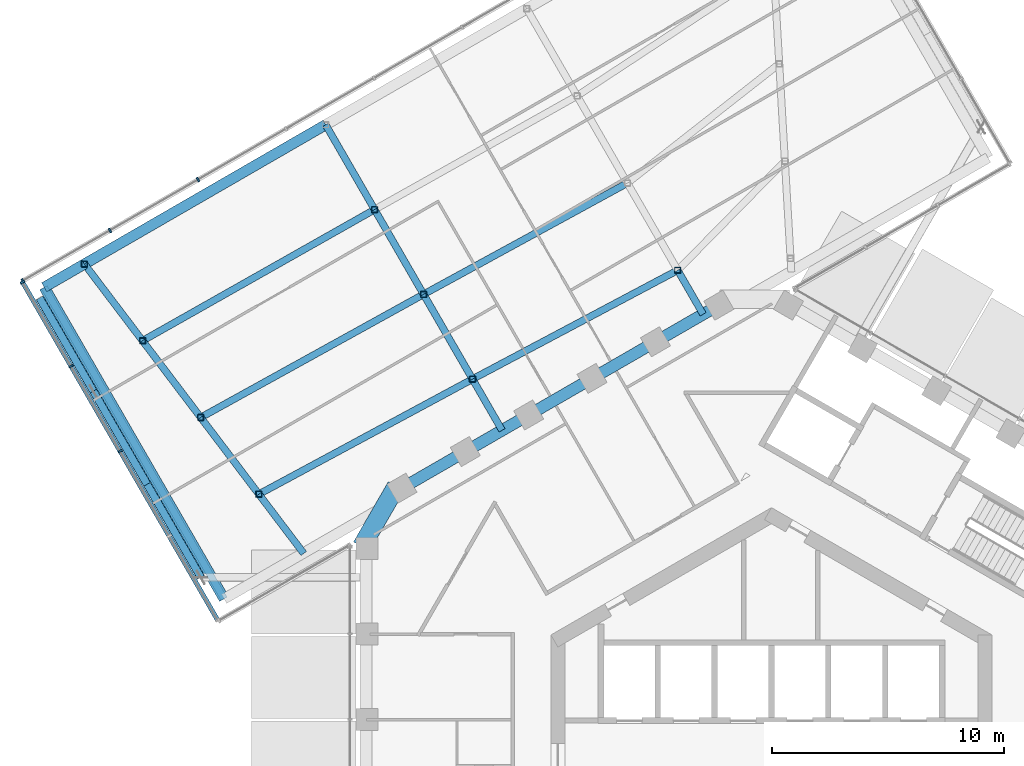
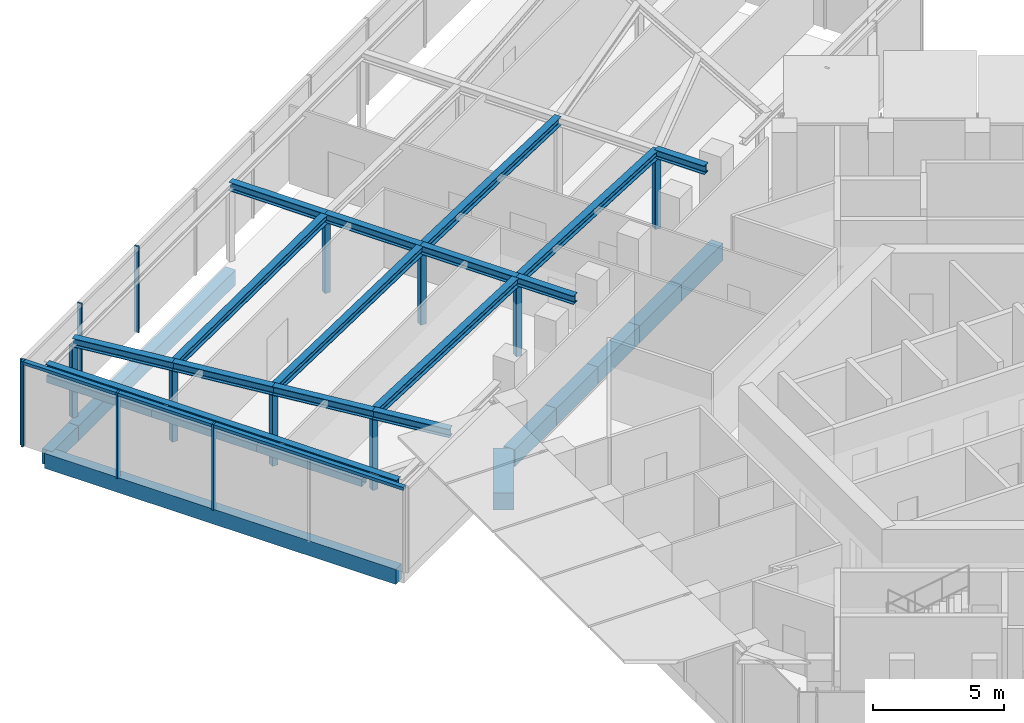
# One storey, part 5 of 27: 24 beams, 18 members, 2 elements without a shape of their own.
"""IFC4 building model written with IfcOpenShell, lengths in metres."""

from ifc_helpers import new_model, si_unit, direction, frame, origin, origin_2d, place, context, subcontext, project, spatial, rectangle, hollow_rectangle, i_section, extrude, material, layer, layer_set, material_profile, profile_set, type_object, element, aggregate, save


model = new_model("IFC4")

# Units and contexts
model_context = context("Model", 3, precision=1e-05, world=origin(), true_north=direction((0.0, 1.0)))
body_context = subcontext(model_context, "Body", "Model", "MODEL_VIEW")
ifc_project = project(units=[si_unit("LENGTHUNIT", "METRE"), si_unit("AREAUNIT", "SQUARE_METRE"), si_unit("VOLUMEUNIT", "CUBIC_METRE"), si_unit("PLANEANGLEUNIT", "RADIAN"), si_unit("MASSUNIT", "GRAM", prefix="KILO")], contexts=[model_context])

# Site, building, storey
site_placement = place(None, origin())
site = spatial("IfcSite", under=ifc_project, at=site_placement, CompositionType="ELEMENT")
building_placement = place(site_placement, origin())
building = spatial("IfcBuilding", under=site, at=building_placement, Name="Ayvan Gate Tower", CompositionType="ELEMENT")
storey_placement = place(building_placement, frame((0.0, 0.0, 194.699951171875)))
storey = spatial("IfcBuildingStorey", under=building, at=storey_placement, Name="L52", CompositionType="ELEMENT", Elevation=194.699951171875)

# Beams
ifc_material_1 = material(Name="Concrete C40/50", Category="concrete")
ifc_material_profile_1 = material_profile(ifc_material_1, rectangle(XDim=0.800048828125, YDim=0.800048828125, at=origin_2d()), Name="RC 800x800")
ifc_profile_set_1 = profile_set([ifc_material_profile_1], Name="Concrete C40/50")
beam_type_1 = type_object("IfcBeamType", Name="Corner spandrel beam RC 800x800 C40/50", PredefinedType="BEAM", material=ifc_profile_set_1)
beam_1_placement = place(storey_placement, frame((-16.157958984375, 11.89111328125, -0.800048828125), z_axis=(-0.50002537861, -0.866010750942, 0.0), x_axis=(0.866010750942, -0.50002537861, 0.0)))
element("IfcBeam", 1, at=beam_1_placement, inside=storey, type_object=beam_type_1, Name="SB-L52-18", PredefinedType="BEAM", context=body_context, shape_type="SweptSolid", body=[
    extrude(rectangle(XDim=0.800048828125, YDim=0.800048828125, at=origin_2d()), origin(), (0.0, 0.0, 1.0), 2.999755859375),
])
ifc_material_profile_2 = material_profile(ifc_material_1, rectangle(XDim=0.449951171875, YDim=0.699951171875, at=origin_2d()), Name="RC 450x700")
ifc_profile_set_2 = profile_set([ifc_material_profile_2], Name="Concrete C40/50")
beam_type_2 = type_object("IfcBeamType", Name="Sky bar edge beam RC 450x700 C40/50", PredefinedType="BEAM", material=ifc_profile_set_2)
beam_2_placement = place(storey_placement, frame((-23.5791015625, 7.040283203125, -0.75), z_axis=(-0.500001506187, 0.866024534185, 0.0), x_axis=(-0.866024534185, -0.500001506187, 0.0)))
element("IfcBeam", 2, at=beam_2_placement, inside=storey, type_object=beam_type_2, Name="EB-B4-L52-2", PredefinedType="BEAM", context=body_context, shape_type="SweptSolid", body=[
    extrude(rectangle(XDim=0.449951171875, YDim=0.699951171875, at=origin_2d()), origin(), (0.0, 0.0, 1.0), 15.5),
])
beam_3_placement = place(storey_placement, frame((-31.3291015625, 20.463623046875, -0.75), z_axis=(0.866041268327, 0.499972520799, 0.0), x_axis=(-0.499972520799, 0.866041268327, 0.0)))
element("IfcBeam", 3, at=beam_3_placement, inside=storey, type_object=beam_type_2, Name="EB-B4-L52-3", PredefinedType="BEAM", context=body_context, shape_type="SweptSolid", body=[
    extrude(rectangle(XDim=0.449951171875, YDim=0.699951171875, at=origin_2d()), origin(), (0.0, 0.0, 1.0), 2.0),
])
beam_4_placement = place(storey_placement, frame((-29.596923828125, 21.463623046875, -0.75), z_axis=(0.866020924479, 0.500007758305, 0.0), x_axis=(-0.500007758305, 0.866020924479, 0.0)))
element("IfcBeam", 4, at=beam_4_placement, inside=storey, type_object=beam_type_2, Name="EB-B4-L52-4", PredefinedType="BEAM", context=body_context, shape_type="SweptSolid", body=[
    extrude(rectangle(XDim=0.449951171875, YDim=0.699951171875, at=origin_2d()), origin(), (0.0, 0.0, 1.0), 11.999755859375),
])
ifc_material_2 = material(Name="Steel S460ML", Category="steel")
ifc_material_profile_3 = material_profile(ifc_material_2, i_section(OverallWidth=0.300048828125, OverallDepth=0.39990234375, WebThickness=0.013427734375, FlangeThickness=0.02392578125, FilletRadius=0.027099609375, at=origin_2d()), Name="HE 400 B")
ifc_profile_set_3 = profile_set([ifc_material_profile_3], Name="Steel S460ML")
beam_type_3 = type_object("IfcBeamType", Name="Sky bar roof beam B4 HE 400 B", PredefinedType="BEAM", material=ifc_profile_set_3)
beam_5_placement = place(storey_placement, frame((-2.944580078125, 19.300048828125, 3.5), z_axis=(-0.499976622722, 0.866038900241, 0.0), x_axis=(-0.866038900241, -0.499976622722, 0.0)))
element("IfcBeam", 5, at=beam_5_placement, inside=storey, type_object=beam_type_3, Name="RB-B4-SBT4-2-1", PredefinedType="BEAM", context=body_context, shape_type="SweptSolid", body=[
    extrude(i_section(OverallWidth=0.300048828125, OverallDepth=0.39990234375, WebThickness=0.013427734375, FlangeThickness=0.02392578125, FilletRadius=0.027099609375, at=origin_2d()), origin(), (0.0, 0.0, 1.0), 2.189453125),
])
beam_6_placement = place(storey_placement, frame((-11.604736328125, 14.300048828125, 3.5), z_axis=(-0.499993407537, 0.866029209911, 0.0), x_axis=(-0.866029209911, -0.499993407537, 0.0)))
element("IfcBeam", 6, at=beam_6_placement, inside=storey, type_object=beam_type_3, Name="RB-B4-SBT4-3-1", PredefinedType="BEAM", context=body_context, shape_type="SweptSolid", body=[
    extrude(i_section(OverallWidth=0.300048828125, OverallDepth=0.39990234375, WebThickness=0.013427734375, FlangeThickness=0.02392578125, FilletRadius=0.027099609375, at=origin_2d()), origin(), (0.0, 0.0, 1.0), 2.5478515625),
])
beam_7_placement = place(storey_placement, frame((-12.878662109375, 16.506591796875, 3.5), z_axis=(-0.500036467816, 0.866004348058, 0.0), x_axis=(-0.866004348058, -0.500036467816, 0.0)))
element("IfcBeam", 7, at=beam_7_placement, inside=storey, type_object=beam_type_3, Name="RB-B4-SBT4-3-2", PredefinedType="BEAM", context=body_context, shape_type="SweptSolid", body=[
    extrude(i_section(OverallWidth=0.300048828125, OverallDepth=0.39990234375, WebThickness=0.013427734375, FlangeThickness=0.02392578125, FilletRadius=0.027099609375, at=origin_2d()), origin(), (0.0, 0.0, 1.0), 4.217529296875),
])
for number, where, z_axis, x_axis, name in (
    (8, (-14.987548828125, 20.158935546875, 3.5), (-0.499993052048, 0.866029415149, 0.0), (-0.866029415149, -0.499993052048, 0.0), "RB-B4-SBT4-3-3"),
    (9, (-17.09619140625, 23.811279296875, 3.5), (-0.499993052048, 0.866029415149, 0.0), (-0.866029415149, -0.499993052048, 0.0), "RB-B4-SBT4-3-4"),
):
    element("IfcBeam", number, at=place(storey_placement, frame(where, z_axis=z_axis, x_axis=x_axis)), inside=storey, type_object=beam_type_3, Name=name, PredefinedType="BEAM", context=body_context, shape_type="SweptSolid", body=[
        extrude(i_section(OverallWidth=0.300048828125, OverallDepth=0.39990234375, WebThickness=0.013427734375, FlangeThickness=0.02392578125, FilletRadius=0.027099609375, at=origin_2d()), origin(), (0.0, 0.0, 1.0), 4.21728515625),
    ])
beam_8_placement = place(storey_placement, frame((-20.14892578125, 8.99755859375, 3.5), z_axis=(-0.604044182789, 0.796950829875, 0.0), x_axis=(-0.796950829875, -0.604044182789, 0.0)))
element("IfcBeam", 10, at=beam_8_placement, inside=storey, type_object=beam_type_3, Name="RB-B4-SBT4-4-1", PredefinedType="BEAM", context=body_context, shape_type="SweptSolid", body=[
    extrude(i_section(OverallWidth=0.300048828125, OverallDepth=0.39990234375, WebThickness=0.013427734375, FlangeThickness=0.02392578125, FilletRadius=0.027099609375, at=origin_2d()), origin(), (0.0, 0.0, 1.0), 3.20068359375),
])
beam_9_placement = place(storey_placement, frame((-22.082275390625, 11.54833984375, 3.5), z_axis=(-0.604033363871, 0.796959029895, 0.0), x_axis=(-0.796959029895, -0.604033363871, 0.0)))
element("IfcBeam", 11, at=beam_9_placement, inside=storey, type_object=beam_type_3, Name="RB-B4-SBT4-4-2", PredefinedType="BEAM", context=body_context, shape_type="SweptSolid", body=[
    extrude(i_section(OverallWidth=0.300048828125, OverallDepth=0.39990234375, WebThickness=0.013427734375, FlangeThickness=0.02392578125, FilletRadius=0.027099609375, at=origin_2d()), origin(), (0.0, 0.0, 1.0), 4.14697265625),
])
for number, where, z_axis, x_axis, name in (
    (12, (-24.587158203125, 14.853271484375, 3.5), (-0.604005024124, 0.79698050844, 0.0), (-0.79698050844, -0.604005024124, 0.0), "RB-B4-SBT4-4-3"),
    (13, (-27.092041015625, 18.158447265625, 3.5), (-0.604005024124, 0.79698050844, 0.0), (-0.79698050844, -0.604005024124, 0.0), "RB-B4-SBT4-4-4"),
):
    element("IfcBeam", number, at=place(storey_placement, frame(where, z_axis=z_axis, x_axis=x_axis)), inside=storey, type_object=beam_type_3, Name=name, PredefinedType="BEAM", context=body_context, shape_type="SweptSolid", body=[
        extrude(i_section(OverallWidth=0.300048828125, OverallDepth=0.39990234375, WebThickness=0.013427734375, FlangeThickness=0.02392578125, FilletRadius=0.027099609375, at=origin_2d()), origin(), (0.0, 0.0, 1.0), 4.147216796875),
    ])
beam_10_placement = place(storey_placement, frame((-6.207763671875, 24.951904296875, 3.5), z_axis=(-0.877727623075, -0.479159910355, 0.0), x_axis=(0.479159910355, -0.877727623075, 0.0)))
element("IfcBeam", 14, at=beam_10_placement, inside=storey, type_object=beam_type_3, Name="RX-B4-23-3", PredefinedType="BEAM", context=body_context, shape_type="SweptSolid", body=[
    extrude(i_section(OverallWidth=0.300048828125, OverallDepth=0.39990234375, WebThickness=0.013427734375, FlangeThickness=0.02392578125, FilletRadius=0.027099609375, at=origin_2d()), origin(), (0.0, 0.0, 1.0), 10.0029296875),
])
beam_11_placement = place(storey_placement, frame((-4.039306640625, 21.1962890625, 3.5), z_axis=(-0.883372728232, -0.468671124582, 0.0), x_axis=(0.468671124582, -0.883372728232, 0.0)))
element("IfcBeam", 15, at=beam_11_placement, inside=storey, type_object=beam_type_3, Name="RX-B4-23-4", PredefinedType="BEAM", context=body_context, shape_type="SweptSolid", body=[
    extrude(i_section(OverallWidth=0.300048828125, OverallDepth=0.39990234375, WebThickness=0.013427734375, FlangeThickness=0.02392578125, FilletRadius=0.027099609375, at=origin_2d()), origin(), (0.0, 0.0, 1.0), 10.00634765625),
])
beam_12_placement = place(storey_placement, frame((-17.09619140625, 23.811279296875, 3.5), z_axis=(-0.870450759166, -0.492255498565, 0.0), x_axis=(0.492255498565, -0.870450759166, 0.0)))
element("IfcBeam", 16, at=beam_12_placement, inside=storey, type_object=beam_type_3, Name="RX-B4-34-2", PredefinedType="BEAM", context=body_context, shape_type="SweptSolid", body=[
    extrude(i_section(OverallWidth=0.300048828125, OverallDepth=0.39990234375, WebThickness=0.013427734375, FlangeThickness=0.02392578125, FilletRadius=0.027099609375, at=origin_2d()), origin(), (0.0, 0.0, 1.0), 11.483642578125),
])
beam_13_placement = place(storey_placement, frame((-14.987548828125, 20.158935546875, 3.5), z_axis=(-0.875217728635, -0.483729188166, 0.0), x_axis=(0.483729188166, -0.875217728635, 0.0)))
element("IfcBeam", 17, at=beam_13_placement, inside=storey, type_object=beam_type_3, Name="RX-B4-34-3", PredefinedType="BEAM", context=body_context, shape_type="SweptSolid", body=[
    extrude(i_section(OverallWidth=0.300048828125, OverallDepth=0.39990234375, WebThickness=0.013427734375, FlangeThickness=0.02392578125, FilletRadius=0.027099609375, at=origin_2d()), origin(), (0.0, 0.0, 1.0), 10.96826171875),
])
beam_14_placement = place(storey_placement, frame((-12.878662109375, 16.506591796875, 3.5), z_axis=(-0.880372847171, -0.474282247153, 0.0), x_axis=(0.474282247153, -0.880372847171, 0.0)))
element("IfcBeam", 18, at=beam_14_placement, inside=storey, type_object=beam_type_3, Name="RX-B4-34-4", PredefinedType="BEAM", context=body_context, shape_type="SweptSolid", body=[
    extrude(i_section(OverallWidth=0.300048828125, OverallDepth=0.39990234375, WebThickness=0.013427734375, FlangeThickness=0.02392578125, FilletRadius=0.027099609375, at=origin_2d()), origin(), (0.0, 0.0, 1.0), 10.4541015625),
])
ifc_material_profile_4 = material_profile(ifc_material_2, i_section(OverallWidth=0.300048828125, OverallDepth=0.340087890625, WebThickness=0.011962890625, FlangeThickness=0.021484375, FilletRadius=0.027099609375, at=origin_2d()), Name="HE 340 B")
ifc_profile_set_4 = profile_set([ifc_material_profile_4], Name="Steel S460ML")
beam_type_4 = type_object("IfcBeamType", Name="Sky bar roof edge beam B4 HE 340 B", PredefinedType="BEAM", material=ifc_profile_set_4)
beam_15_placement = place(storey_placement, frame((-23.5791015625, 7.040283203125, 3.530029296875), z_axis=(-0.500001506187, 0.866024534185, 0.0), x_axis=(-0.866024534185, -0.500001506187, 0.0)))
element("IfcBeam", 19, at=beam_15_placement, inside=storey, type_object=beam_type_4, Name="RE-B4-1-2", PredefinedType="BEAM", context=body_context, shape_type="SweptSolid", body=[
    extrude(i_section(OverallWidth=0.300048828125, OverallDepth=0.340087890625, WebThickness=0.011962890625, FlangeThickness=0.021484375, FilletRadius=0.027099609375, at=origin_2d()), origin(), (0.0, 0.0, 1.0), 15.5),
])

# Members
ifc_material_3 = material(Name="Steel S460NH", Category="steel")
ifc_material_profile_5 = material_profile(ifc_material_3, hollow_rectangle(XDim=0.260009765625, YDim=0.260009765625, WallThickness=0.012451171875, InnerFilletRadius=0.012451171875, OuterFilletRadius=0.018798828125, at=origin_2d()), Name="RHS 260x260x12.5")
ifc_profile_set_5 = profile_set([ifc_material_profile_5], Name="Steel S460NH")
member_type_1 = type_object("IfcMemberType", Name="Sky bar roof post B4 RHS 260x260x12.5", PredefinedType="POST", material=ifc_profile_set_5)
for number, where, z_axis, x_axis, name in (
    (20, (-4.039306640625, 21.1962890625, 0.0), (0.0, 0.0, 1.0), (1.0, 0.0, 0.0), "RP-B4-SBT4-2-1"),
    (21, (-12.878662109375, 16.506591796875, 0.0), (0.0, 0.0, 1.0), (1.0, 0.0, 0.0), "RP-B4-SBT4-3-1"),
    (22, (-14.987548828125, 20.158935546875, 0.0), (0.0, 0.0, 1.0), (1.0, 0.0, 0.0), "RP-B4-SBT4-3-2"),
    (23, (-17.09619140625, 23.811279296875, 0.0), (0.0, 0.0, 1.0), (1.0, 0.0, 0.0), "RP-B4-SBT4-3-3"),
    (24, (-22.082275390625, 11.54833984375, 0.0), (0.0, 0.0, 1.0), (1.0, 0.0, 0.0), "RP-B4-SBT4-4-1"),
    (25, (-24.587158203125, 14.853271484375, 0.0), (0.0, 0.0, 1.0), (1.0, 0.0, 0.0), "RP-B4-SBT4-4-2"),
    (26, (-27.092041015625, 18.158447265625, 0.0), (0.0, 0.0, 1.0), (1.0, 0.0, 0.0), "RP-B4-SBT4-4-3"),
    (27, (-29.596923828125, 21.463623046875, 0.0), (0.0, 0.0, 1.0), (1.0, 0.0, 0.0), "RP-B4-SBT4-4-4"),
):
    element("IfcMember", number, at=place(storey_placement, frame(where, z_axis=z_axis, x_axis=x_axis)), inside=storey, type_object=member_type_1, Name=name, PredefinedType="POST", context=body_context, shape_type="SweptSolid", body=[
        extrude(hollow_rectangle(XDim=0.260009765625, YDim=0.260009765625, WallThickness=0.012451171875, InnerFilletRadius=0.012451171875, OuterFilletRadius=0.018798828125, at=origin_2d()), origin(), (0.0, 0.0, 1.0), 3.300048828125),
    ])
ifc_material_profile_6 = material_profile(ifc_material_3, hollow_rectangle(XDim=0.35009765625, YDim=0.35009765625, WallThickness=0.01416015625, InnerFilletRadius=0.01416015625, OuterFilletRadius=0.021240234375, at=origin_2d()), Name="RHS 350x350x14.2")
ifc_profile_set_6 = profile_set([ifc_material_profile_6], Name="Steel S460NH")
member_type_2 = type_object("IfcMemberType", Name="Sky bar truss brace B4 RHS 350x350x14.2", PredefinedType="BRACE", material=ifc_profile_set_6)
for number, where, z_axis, x_axis, name in (
    (28, (-24.579833984375, 7.963623046875, 3.375), (-0.500009813861, 0.866019737675, 0.0), (-0.866019737675, -0.500009813861, 0.0), "SBX4-A-TC-2"),
    (29, (-26.896484375, 11.97607421875, 3.375), (-0.499986997421, 0.866032910697, 0.0), (-0.866032910697, -0.499986997421, 0.0), "SBX4-A-TC-3"),
    (30, (-29.213134765625, 15.98876953125, 3.375), (-0.500009813861, 0.866019737675, 0.0), (-0.866019737675, -0.500009813861, 0.0), "SBX4-A-TC-4"),
):
    element("IfcMember", number, at=place(storey_placement, frame(where, z_axis=z_axis, x_axis=x_axis)), inside=storey, type_object=member_type_2, Name=name, PredefinedType="CHORD", context=body_context, shape_type="SweptSolid", body=[
        extrude(hollow_rectangle(XDim=0.35009765625, YDim=0.35009765625, WallThickness=0.01416015625, InnerFilletRadius=0.01416015625, OuterFilletRadius=0.021240234375, at=origin_2d()), origin(), (0.0, 0.0, 1.0), 4.63330078125),
    ])

# Beams
ifc_material_profile_7 = material_profile(ifc_material_1, rectangle(XDim=0.5, YDim=0.800048828125, at=origin_2d()), Name="RC 500x800")
ifc_profile_set_7 = profile_set([ifc_material_profile_7], Name="Concrete C40/50")
beam_type_5 = type_object("IfcBeamType", Name="Spandrel beam RC 500x800 C40/50", PredefinedType="BEAM", material=ifc_profile_set_7)
beam_16_placement = place(storey_placement, frame((-2.21923828125, 19.71875, -0.800048828125), z_axis=(-0.866029357279, -0.499993152284, 0.0), x_axis=(0.499993152284, -0.866029357279, 0.0)))
element("IfcBeam", 31, at=beam_16_placement, inside=storey, type_object=beam_type_5, Name="SB-L52-13", PredefinedType="BEAM", context=body_context, shape_type="SweptSolid", body=[
    extrude(rectangle(XDim=0.5, YDim=0.800048828125, at=origin_2d()), origin(), (0.0, 0.0, 1.0), 3.1748046875),
])
beam_17_placement = place(storey_placement, frame((-4.96875, 18.13134765625, -0.800048828125), z_axis=(-0.866015284814, -0.500017526161, 0.0), x_axis=(0.500017526161, -0.866015284814, 0.0)))
element("IfcBeam", 32, at=beam_17_placement, inside=storey, type_object=beam_type_5, Name="SB-L52-14", PredefinedType="BEAM", context=body_context, shape_type="SweptSolid", body=[
    extrude(rectangle(XDim=0.5, YDim=0.800048828125, at=origin_2d()), origin(), (0.0, 0.0, 1.0), 3.17529296875),
])
beam_18_placement = place(storey_placement, frame((-7.718505859375, 16.543701171875, -0.800048828125), z_axis=(-0.866029357279, -0.499993152284, 0.0), x_axis=(0.499993152284, -0.866029357279, 0.0)))
element("IfcBeam", 33, at=beam_18_placement, inside=storey, type_object=beam_type_5, Name="SB-L52-15", PredefinedType="BEAM", context=body_context, shape_type="SweptSolid", body=[
    extrude(rectangle(XDim=0.5, YDim=0.800048828125, at=origin_2d()), origin(), (0.0, 0.0, 1.0), 3.1748046875),
])
beam_19_placement = place(storey_placement, frame((-10.468017578125, 14.956298828125, -0.800048828125), z_axis=(-0.866015284814, -0.500017526161, 0.0), x_axis=(0.500017526161, -0.866015284814, 0.0)))
element("IfcBeam", 34, at=beam_19_placement, inside=storey, type_object=beam_type_5, Name="SB-L52-16", PredefinedType="BEAM", context=body_context, shape_type="SweptSolid", body=[
    extrude(rectangle(XDim=0.5, YDim=0.800048828125, at=origin_2d()), origin(), (0.0, 0.0, 1.0), 3.17529296875),
])
beam_20_placement = place(storey_placement, frame((-13.2177734375, 13.36865234375, -0.800048828125), z_axis=(-0.866029357279, -0.499993152284, 0.0), x_axis=(0.499993152284, -0.866029357279, 0.0)))
element("IfcBeam", 35, at=beam_20_placement, inside=storey, type_object=beam_type_5, Name="SB-L52-17", PredefinedType="BEAM", context=body_context, shape_type="SweptSolid", body=[
    extrude(rectangle(XDim=0.5, YDim=0.800048828125, at=origin_2d()), origin(), (0.0, 0.0, 1.0), 3.1748046875),
])

# Curtain wall, members
ifc_material_4 = material(Name="Bronze anodised aluminium", Category="aluminium")
ifc_layer = layer(ifc_material_4, 0.199951171875)
ifc_layer_set = layer_set([ifc_layer], Name="Bronze anodised aluminium")
curtain_wall_type = type_object("IfcCurtainWallType", Name="Stick curtain wall CW-4", PredefinedType="NOTDEFINED", material=ifc_layer_set)
curtain_wall_1_placement = place(storey_placement, origin())
curtain_wall_1 = element("IfcCurtainWall", 36, at=curtain_wall_1_placement, inside=storey, type_object=curtain_wall_type, Name="Stick curtain wall CW-4 L52", PredefinedType="NOTDEFINED")
ifc_material_profile_8 = material_profile(ifc_material_4, rectangle(XDim=0.199951171875, YDim=0.080078125, at=origin_2d()), Name="Stick curtain wall CW-4 mullion 200 x 80")
ifc_profile_set_8 = profile_set([ifc_material_profile_8], Name="Bronze anodised aluminium")
member_type_3 = type_object("IfcMemberType", Name="Stick curtain wall CW-4 mullion 200 x 80", PredefinedType="MULLION", material=ifc_profile_set_8)
member_1_placement = place(storey_placement, frame((-24.702880859375, 25.09765625, 0.0), z_axis=(0.0, 0.0, 1.0), x_axis=(-0.5, 0.866025403784, 0.0)))
member_1 = element("IfcMember", 37, at=member_1_placement, type_object=member_type_3, Name="CW-4 mullion 8", PredefinedType="MULLION", context=body_context, shape_type="SweptSolid", body=[
    extrude(rectangle(XDim=0.199951171875, YDim=0.080078125, at=origin_2d()), origin(), (0.0, 0.0, 1.0), 4.0),
])
member_2_placement = place(storey_placement, frame((-28.494140625, 22.90869140625, 0.0), z_axis=(0.0, 0.0, 1.0), x_axis=(-0.5, 0.866025403784, 0.0)))
member_2 = element("IfcMember", 38, at=member_2_placement, type_object=member_type_3, Name="CW-4 mullion 9", PredefinedType="MULLION", context=body_context, shape_type="SweptSolid", body=[
    extrude(rectangle(XDim=0.199951171875, YDim=0.080078125, at=origin_2d()), origin(), (0.0, 0.0, 1.0), 4.0),
])
member_3_placement = place(storey_placement, frame((-32.250732421875, 20.73974609375, 0.0), z_axis=(0.0, 0.0, 1.0), x_axis=(-0.5, 0.866025403784, 0.0)))
member_3 = element("IfcMember", 39, at=member_3_placement, type_object=member_type_3, Name="CW-4 mullion 10", PredefinedType="MULLION", context=body_context, shape_type="SweptSolid", body=[
    extrude(rectangle(XDim=0.199951171875, YDim=0.080078125, at=origin_2d()), origin(), (0.0, 0.0, 1.0), 4.0),
])
aggregate(curtain_wall_1, [member_1, member_2, member_3])

curtain_wall_2_placement = place(storey_placement, origin())
curtain_wall_2 = element("IfcCurtainWall", 40, at=curtain_wall_2_placement, inside=storey, type_object=curtain_wall_type, Name="Stick curtain wall CW-4 L52", PredefinedType="NOTDEFINED")
member_4_placement = place(storey_placement, frame((-32.265380859375, 20.68505859375, 0.0), z_axis=(0.0, 0.0, 1.0), x_axis=(-0.866025403784, -0.5, 0.0)))
member_4 = element("IfcMember", 41, at=member_4_placement, type_object=member_type_3, Name="CW-4 mullion 1", PredefinedType="MULLION", context=body_context, shape_type="SweptSolid", body=[
    extrude(rectangle(XDim=0.199951171875, YDim=0.080078125, at=origin_2d()), origin(), (0.0, 0.0, 1.0), 4.0),
])
member_5_placement = place(storey_placement, frame((-30.1728515625, 17.060791015625, 0.0), z_axis=(0.0, 0.0, 1.0), x_axis=(-0.866025403784, -0.5, 0.0)))
member_5 = element("IfcMember", 42, at=member_5_placement, type_object=member_type_3, Name="CW-4 mullion 2", PredefinedType="MULLION", context=body_context, shape_type="SweptSolid", body=[
    extrude(rectangle(XDim=0.199951171875, YDim=0.080078125, at=origin_2d()), origin(), (0.0, 0.0, 1.0), 4.0),
])
member_6_placement = place(storey_placement, frame((-28.060302734375, 13.40185546875, 0.0), z_axis=(0.0, 0.0, 1.0), x_axis=(-0.866025403784, -0.5, 0.0)))
member_6 = element("IfcMember", 43, at=member_6_placement, type_object=member_type_3, Name="CW-4 mullion 3", PredefinedType="MULLION", context=body_context, shape_type="SweptSolid", body=[
    extrude(rectangle(XDim=0.199951171875, YDim=0.080078125, at=origin_2d()), origin(), (0.0, 0.0, 1.0), 4.0),
])
ifc_material_profile_9 = material_profile(ifc_material_4, rectangle(XDim=0.199951171875, YDim=0.139892578125, at=origin_2d()), Name="Stick curtain wall CW-4 transom 200 x 140")
ifc_profile_set_9 = profile_set([ifc_material_profile_9], Name="Bronze anodised aluminium")
member_type_4 = type_object("IfcMemberType", Name="Stick curtain wall CW-4 transom 200 x 140", PredefinedType="USERDEFINED", material=ifc_profile_set_9)
member_7_placement = place(storey_placement, frame((-32.265380859375, 20.68505859375, 3.929931640625), z_axis=(0.500010598107, -0.866019284878, 0.0), x_axis=(0.866019284878, 0.500010598107, 0.0)))
member_7 = element("IfcMember", 44, at=member_7_placement, type_object=member_type_4, Name="CW-4 transom 1", ObjectType="TRANSOM", PredefinedType="USERDEFINED", context=body_context, shape_type="SweptSolid", body=[
    extrude(rectangle(XDim=0.199951171875, YDim=0.139892578125, at=origin_2d()), origin(), (0.0, 0.0, 1.0), 16.820068359375),
])
aggregate(curtain_wall_2, [member_4, member_5, member_6, member_7])

save(model, "model.ifc")
